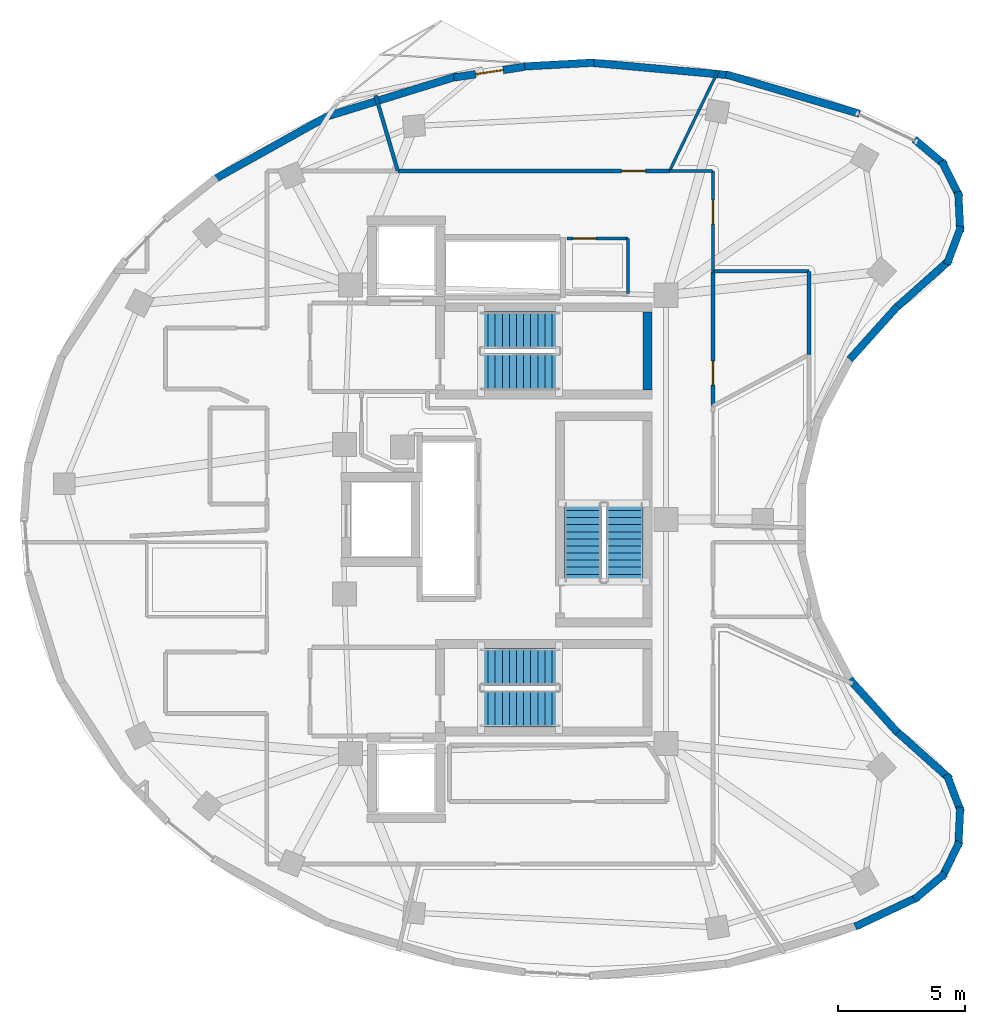
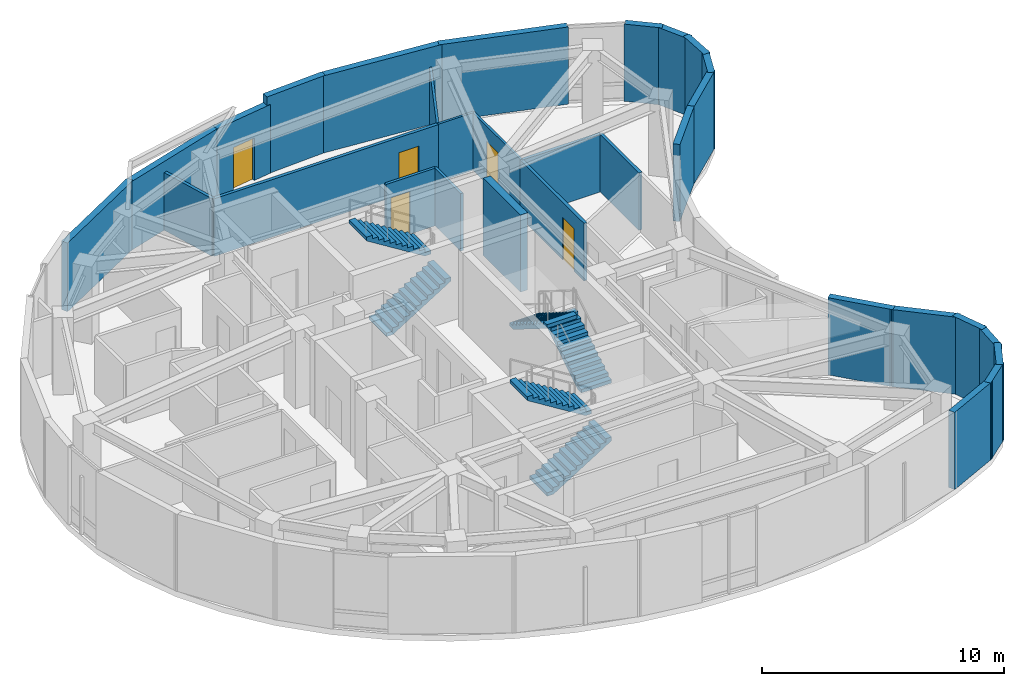
# One storey, part 6 of 8: 30 walls, 6 stair flights, 5 doors, 5 openings, 3 elements without a shape of their own.
"""IFC4 building model written with IfcOpenShell, lengths in metres."""

from ifc_helpers import new_model, si_unit, direction, frame, frame_2d, origin, place, context, subcontext, project, spatial, polyline, rectangle, outline, extrude, material, layer, layer_set, type_object, element, fill, aggregate, save


model = new_model("IFC4")

# Units and contexts
model_context = context("Model", 3, precision=1e-05, world=origin(), true_north=direction((0.0, 1.0)))
body_context = subcontext(model_context, "Body", "Model", "MODEL_VIEW")
ifc_project = project(units=[si_unit("LENGTHUNIT", "METRE"), si_unit("AREAUNIT", "SQUARE_METRE"), si_unit("VOLUMEUNIT", "CUBIC_METRE"), si_unit("PLANEANGLEUNIT", "RADIAN"), si_unit("MASSUNIT", "GRAM", prefix="KILO")], contexts=[model_context])

# Site, building, storey
site_placement = place(None, origin())
site = spatial("IfcSite", under=ifc_project, at=site_placement, CompositionType="ELEMENT")
building_placement = place(site_placement, origin())
building = spatial("IfcBuilding", under=site, at=building_placement, Name="Korentha Bioscience Tower", CompositionType="ELEMENT")
storey_placement = place(building_placement, frame((0.0, 0.0, 310.199951171875)))
storey = spatial("IfcBuildingStorey", under=building, at=storey_placement, Name="L71", CompositionType="ELEMENT", Elevation=310.199951171875)

# Wall, opening, door
ifc_material_1 = material(Name="Double-Stud Acoustic Gypsum", Category="gypsum")
ifc_layer_1 = layer(ifc_material_1, 0.14990234375, Name="Double-Stud Acoustic Gypsum")
ifc_layer_set_1 = layer_set([ifc_layer_1], Name="Double-Stud Acoustic Gypsum (IW-L150)")
wall_type_1 = type_object("IfcWallType", Name="Acoustic Laboratory Partition Wall 150", PredefinedType="PARTITIONING", material=ifc_layer_set_1)
wall_1_placement = place(storey_placement, frame((39.409912109375, 31.493896484375, 0.0), z_axis=(0.0, 0.0, 1.0), x_axis=(0.0, 1.0, 0.0)))
wall_1 = element("IfcWall", 1, at=wall_1_placement, inside=storey, type_object=wall_type_1, Name="L71 Visiting Faculty Study Office 08 Entrance Wall", PredefinedType="PARTITIONING", context=body_context, shape_type="SweptSolid", body=[
    extrude(rectangle(XDim=5.30419921875, YDim=0.14990234375, at=frame_2d((2.652099609375, 0.0))), origin(), (0.0, 0.0, 1.0), 2.91015625),
])
opening_1_placement = place(wall_1_placement, frame((0.81201171875, 0.0, 0.0)))
opening_1 = element("IfcOpeningElement", 2, at=opening_1_placement, cuts=wall_1, Name="Opening ID-10L", PredefinedType="OPENING", context=body_context, shape_type="SweptSolid", body=[
    extrude(rectangle(XDim=0.949951171875, YDim=2.14990234375, at=frame_2d((0.47509765625, 1.074951171875))), frame((0.0, 0.08984375, 0.0), z_axis=(0.0, -1.0, 0.0), x_axis=(1.0, 0.0, 0.0)), (0.0, 0.0, 1.0), 0.1796875),
])
ifc_material_2 = material(Name="Phenolic Laminate Timber Core", Category="wood")
door_type_1 = type_object("IfcDoorType", Name="Laboratory Single Leaf Door 950x2150 Left", OperationType="SINGLE_SWING_LEFT", PredefinedType="DOOR", material=ifc_material_2)
door_1_placement = place(opening_1_placement, origin())
door_1 = element("IfcDoor", 3, at=door_1_placement, inside=storey, type_object=door_type_1, Name="L71 Visiting Faculty Study Office 08 Door", OperationType="SINGLE_SWING_LEFT", OverallHeight=2.14990234375, OverallWidth=0.949951171875, PredefinedType="DOOR", context=body_context, shape_type="SweptSolid", body=[
    extrude(rectangle(XDim=0.949951171875, YDim=2.14990234375, at=frame_2d((0.47509765625, 1.074951171875))), frame((0.0, 0.02490234375, 0.0), z_axis=(0.0, -1.0, 0.0), x_axis=(1.0, 0.0, 0.0)), (0.0, 0.0, 1.0), 0.050048828125),
])
fill(opening_1, door_1)

wall_2_placement = place(storey_placement, frame((37.6845703125, 40.760009765625, 0.0), z_axis=(0.0, 0.0, 1.0), x_axis=(-1.0, 0.0, 0.0)))
wall_2 = element("IfcWall", 4, at=wall_2_placement, inside=storey, type_object=wall_type_1, Name="L71 Ethics and Biosafety Briefing Room 10 Entrance Wall", PredefinedType="PARTITIONING", context=body_context, shape_type="SweptSolid", body=[
    extrude(rectangle(XDim=10.721435546875, YDim=0.14990234375, at=frame_2d((5.36083984375, 0.0))), origin(), (0.0, 0.0, 1.0), 2.91015625),
])
opening_2_placement = place(wall_2_placement, frame((0.93701171875, 0.0, 0.0)))
opening_2 = element("IfcOpeningElement", 5, at=opening_2_placement, cuts=wall_2, Name="Opening ID-10L", PredefinedType="OPENING", context=body_context, shape_type="SweptSolid", body=[
    extrude(rectangle(XDim=0.949951171875, YDim=2.14990234375, at=frame_2d((0.47509765625, 1.074951171875))), frame((0.0, 0.08984375, 0.0), z_axis=(0.0, -1.0, 0.0), x_axis=(1.0, 0.0, 0.0)), (0.0, 0.0, 1.0), 0.1796875),
])
door_2_placement = place(opening_2_placement, origin())
door_2 = element("IfcDoor", 6, at=door_2_placement, inside=storey, type_object=door_type_1, Name="L71 Ethics and Biosafety Briefing Room 10 Door", OperationType="SINGLE_SWING_LEFT", OverallHeight=2.14990234375, OverallWidth=0.949951171875, PredefinedType="DOOR", context=body_context, shape_type="SweptSolid", body=[
    extrude(rectangle(XDim=0.949951171875, YDim=2.14990234375, at=frame_2d((0.47509765625, 1.074951171875))), frame((0.0, 0.02490234375, 0.0), z_axis=(0.0, -1.0, 0.0), x_axis=(1.0, 0.0, 0.0)), (0.0, 0.0, 1.0), 0.050048828125),
])
fill(opening_2, door_2)

# Walls
wall_3_placement = place(storey_placement, frame((43.197998046875, 36.798095703125, 0.0), z_axis=(0.0, 0.0, 1.0), x_axis=(0.0, -1.0, 0.0)))
element("IfcWall", 7, at=wall_3_placement, inside=storey, type_object=wall_type_1, Name="L71 Interior Partition 049", PredefinedType="PARTITIONING", context=body_context, shape_type="SweptSolid", body=[
    extrude(rectangle(XDim=3.283203125, YDim=0.14990234375, at=frame_2d((1.6416015625, 0.0))), origin(), (0.0, 0.0, 1.0), 2.91015625),
])
wall_4_placement = place(storey_placement, frame((39.409912109375, 36.798095703125, 0.0), z_axis=(0.0, 0.0, 1.0), x_axis=(1.0, 0.0, 0.0)))
element("IfcWall", 8, at=wall_4_placement, inside=storey, type_object=wall_type_1, Name="L71 Interior Partition 050", PredefinedType="PARTITIONING", context=body_context, shape_type="SweptSolid", body=[
    extrude(rectangle(XDim=3.7880859375, YDim=0.14990234375, at=frame_2d((1.89404296875, 0.0))), origin(), (0.0, 0.0, 1.0), 2.91015625),
])
wall_5_placement = place(storey_placement, frame((26.963134765625, 40.760009765625, 0.0), z_axis=(0.0, 0.0, 1.0), x_axis=(-0.282332281552, 0.959316674927, 0.0)))
element("IfcWall", 9, at=wall_5_placement, inside=storey, type_object=wall_type_1, Name="L71 Interior Partition 053", PredefinedType="PARTITIONING", context=body_context, shape_type="SweptSolid", body=[
    extrude(rectangle(XDim=3.106201171875, YDim=0.14990234375, at=frame_2d((1.55322265625, 0.0))), origin(), (0.0, 0.0, 1.0), 2.91015625),
])

# Wall, opening, door
ifc_material_3 = material(Name="Fire-Rated Framed Glass", Category="glass")
ifc_layer_2 = layer(ifc_material_3, 0.110107421875, Name="Fire-Rated Framed Glass")
ifc_layer_set_2 = layer_set([ifc_layer_2], Name="Fire-Rated Framed Glass (IW-G110)")
wall_type_2 = type_object("IfcWallType", Name="Demountable Glazed Office Partition 110", PredefinedType="MOVABLE", material=ifc_layer_set_2)
wall_6_placement = place(storey_placement, frame((39.409912109375, 36.80810546875, 0.0), z_axis=(0.0, 0.0, 1.0), x_axis=(0.0, 1.0, 0.0)))
wall_6 = element("IfcWall", 10, at=wall_6_placement, inside=storey, type_object=wall_type_2, Name="L71 Patent and Regulatory Affairs Office 09 Entrance Wall", PredefinedType="MOVABLE", context=body_context, shape_type="SweptSolid", body=[
    extrude(rectangle(XDim=3.94189453125, YDim=0.110107421875, at=frame_2d((1.970947265625, 0.0))), origin(), (0.0, 0.0, 1.0), 2.91015625),
])
opening_3_placement = place(wall_6_placement, frame((1.852783203125, 0.0, 0.0)))
opening_3 = element("IfcOpeningElement", 11, at=opening_3_placement, cuts=wall_6, Name="Opening ID-10R", PredefinedType="OPENING", context=body_context, shape_type="SweptSolid", body=[
    extrude(rectangle(XDim=0.949951171875, YDim=2.14990234375, at=frame_2d((0.47509765625, 1.074951171875))), frame((0.0, 0.06982421875, 0.0), z_axis=(0.0, -1.0, 0.0), x_axis=(1.0, 0.0, 0.0)), (0.0, 0.0, 1.0), 0.139892578125),
])
door_type_2 = type_object("IfcDoorType", Name="Laboratory Single Leaf Door 950x2150 Right", OperationType="SINGLE_SWING_RIGHT", PredefinedType="DOOR", material=ifc_material_2)
door_3_placement = place(opening_3_placement, origin())
door_3 = element("IfcDoor", 12, at=door_3_placement, inside=storey, type_object=door_type_2, Name="L71 Patent and Regulatory Affairs Office 09 Door", OperationType="SINGLE_SWING_RIGHT", OverallHeight=2.14990234375, OverallWidth=0.949951171875, PredefinedType="DOOR", context=body_context, shape_type="SweptSolid", body=[
    extrude(rectangle(XDim=0.949951171875, YDim=2.14990234375, at=frame_2d((0.47509765625, 1.074951171875))), frame((0.0, 0.02490234375, 0.0), z_axis=(0.0, -1.0, 0.0), x_axis=(1.0, 0.0, 0.0)), (0.0, 0.0, 1.0), 0.050048828125),
])
fill(opening_3, door_3)

# Walls
wall_7_placement = place(storey_placement, frame((39.39990234375, 40.760009765625, 0.0), z_axis=(0.0, 0.0, 1.0), x_axis=(-1.0, 0.0, 0.0)))
element("IfcWall", 13, at=wall_7_placement, inside=storey, type_object=wall_type_2, Name="L71 Interior Partition 051", PredefinedType="MOVABLE", context=body_context, shape_type="SweptSolid", body=[
    extrude(rectangle(XDim=1.705322265625, YDim=0.110107421875, at=frame_2d((0.8525390625, 0.0))), origin(), (0.0, 0.0, 1.0), 2.91015625),
])
wall_8_placement = place(storey_placement, frame((37.694580078125, 40.760009765625, 0.0), z_axis=(0.0, 0.0, 1.0), x_axis=(0.436838385981, 0.899540007189, 0.0)))
element("IfcWall", 14, at=wall_8_placement, inside=storey, type_object=wall_type_2, Name="L71 Interior Partition 052", PredefinedType="MOVABLE", context=body_context, shape_type="SweptSolid", body=[
    extrude(rectangle(XDim=4.389404296875, YDim=0.110107421875, at=frame_2d((2.19482421875, 0.0))), origin(), (0.0, 0.0, 1.0), 2.91015625),
])

# Wall, opening, door
ifc_material_4 = material(Name="Honed Limestone Precast Concrete C40", Category="masonry")
ifc_layer_3 = layer(ifc_material_4, 0.300048828125, Name="Honed Limestone Precast Concrete C40")
ifc_layer_set_3 = layer_set([ifc_layer_3], Name="Honed Limestone Precast Concrete C40 (EW-ST300)")
wall_type_3 = type_object("IfcWallType", Name="Honed Limestone Cavity Spandrel Wall 300", PredefinedType="STANDARD", material=ifc_layer_set_3)
wall_9_placement = place(storey_placement, frame((31.979248046875, 44.874267578125, 0.0), z_axis=(0.0, 0.0, 1.0), x_axis=(-0.988616331056, -0.150458465925, 0.0)))
wall_9 = element("IfcWall", 15, at=wall_9_placement, inside=storey, type_object=wall_type_3, Name="L71 Balcony Threshold Wall 01", PredefinedType="STANDARD", context=body_context, shape_type="SweptSolid", body=[
    extrude(rectangle(XDim=2.834716796875, YDim=0.300048828125, at=frame_2d((1.41748046875, 0.0))), origin(), (0.0, 0.0, 1.0), 3.469970703125),
])
opening_4_placement = place(wall_9_placement, frame((0.867431640625, 0.0, 0.0)))
opening_4 = element("IfcOpeningElement", 16, at=opening_4_placement, cuts=wall_9, Name="Opening BD-11L", PredefinedType="OPENING", context=body_context, shape_type="SweptSolid", body=[
    extrude(rectangle(XDim=1.10009765625, YDim=2.14990234375, at=frame_2d((0.550048828125, 1.074951171875))), frame((0.0, 0.1650390625, 0.0), z_axis=(0.0, -1.0, 0.0), x_axis=(1.0, 0.0, 0.0)), (0.0, 0.0, 1.0), 0.329833984375),
])
ifc_material_5 = material(Name="Thermally Broken Glazed Aluminium", Category="aluminium")
door_type_3 = type_object("IfcDoorType", Name="Balcony Terrace Glazed Door 1100x2150 Left", OperationType="SINGLE_SWING_LEFT", PredefinedType="DOOR", material=ifc_material_5)
door_4_placement = place(opening_4_placement, origin())
door_4 = element("IfcDoor", 17, at=door_4_placement, inside=storey, type_object=door_type_3, Name="L71 Balcony Access Door 01", OperationType="SINGLE_SWING_LEFT", OverallHeight=2.14990234375, OverallWidth=1.10009765625, PredefinedType="DOOR", context=body_context, shape_type="SweptSolid", body=[
    extrude(rectangle(XDim=1.10009765625, YDim=2.14990234375, at=frame_2d((0.550048828125, 1.074951171875))), frame((0.0, 0.02490234375, 0.0), z_axis=(0.0, -1.0, 0.0), x_axis=(1.0, 0.0, 0.0)), (0.0, 0.0, 1.0), 0.050048828125),
])
fill(opening_4, door_4)

# Walls
wall_10_placement = place(storey_placement, frame((45.19677734375, 43.018310546875, 0.0), z_axis=(0.0, 0.0, 1.0), x_axis=(-0.959276315934, 0.282469378321, 0.0)))
element("IfcWall", 18, at=wall_10_placement, inside=storey, type_object=wall_type_3, Name="L71 Limestone Perimeter Closure Wall 02", PredefinedType="STANDARD", context=body_context, shape_type="SweptSolid", body=[
    extrude(rectangle(XDim=5.495361328125, YDim=0.300048828125, at=frame_2d((2.74755859375, 0.0))), origin(), (0.0, 0.0, 1.0), 3.900146484375),
])
wall_11_placement = place(storey_placement, frame((40.108642578125, 44.53564453125, 0.0), z_axis=(0.0, 0.0, 1.0), x_axis=(-0.995950163058, 0.089907022552, 0.0)))
element("IfcWall", 19, at=wall_11_placement, inside=storey, type_object=wall_type_3, Name="L71 Limestone Perimeter Closure Wall 04", PredefinedType="STANDARD", context=body_context, shape_type="SweptSolid", body=[
    extrude(rectangle(XDim=5.60205078125, YDim=0.300048828125, at=frame_2d((2.801025390625, 0.0))), origin(), (0.0, 0.0, 1.0), 3.900146484375),
])
wall_12_placement = place(storey_placement, frame((34.708984375, 45.035888671875, 0.0), z_axis=(0.0, 0.0, 1.0), x_axis=(-0.998532534801, -0.054155119283, 0.0)))
element("IfcWall", 20, at=wall_12_placement, inside=storey, type_object=wall_type_3, Name="L71 Limestone Perimeter Closure Wall 06", PredefinedType="STANDARD", context=body_context, shape_type="SweptSolid", body=[
    extrude(rectangle(XDim=2.8896484375, YDim=0.300048828125, at=frame_2d((1.44482421875, 0.0))), origin(), (0.0, 0.0, 1.0), 3.900146484375),
])
wall_13_placement = place(storey_placement, frame((29.32958984375, 44.5048828125, 0.0), z_axis=(0.0, 0.0, 1.0), x_axis=(-0.955535200816, -0.29487705913, 0.0)))
element("IfcWall", 21, at=wall_13_placement, inside=storey, type_object=wall_type_3, Name="L71 Limestone Perimeter Closure Wall 08", PredefinedType="STANDARD", context=body_context, shape_type="SweptSolid", body=[
    extrude(rectangle(XDim=5.485107421875, YDim=0.300048828125, at=frame_2d((2.74267578125, 0.0))), origin(), (0.0, 0.0, 1.0), 3.469970703125),
])
wall_14_placement = place(storey_placement, frame((24.26171875, 42.961669921875, 0.0), z_axis=(0.0, 0.0, 1.0), x_axis=(-0.87350676692, -0.486812004932, 0.0)))
element("IfcWall", 22, at=wall_14_placement, inside=storey, type_object=wall_type_3, Name="L71 Limestone Perimeter Closure Wall 10", PredefinedType="STANDARD", context=body_context, shape_type="SweptSolid", body=[
    extrude(rectangle(XDim=5.281982421875, YDim=0.300048828125, at=frame_2d((2.64111328125, 0.0))), origin(), (0.0, 0.0, 1.0), 3.469970703125),
])
wall_15_placement = place(storey_placement, frame((45.027587890625, 10.917236328125, 0.0), z_axis=(0.0, 0.0, 1.0), x_axis=(0.904397474905, 0.426690997545, 0.0)))
element("IfcWall", 23, at=wall_15_placement, inside=storey, type_object=wall_type_3, Name="L71 Limestone Perimeter Closure Wall 36", PredefinedType="STANDARD", context=body_context, shape_type="SweptSolid", body=[
    extrude(rectangle(XDim=2.76123046875, YDim=0.300048828125, at=frame_2d((1.380615234375, 0.0))), origin(), (0.0, 0.0, 1.0), 3.900146484375),
])
for number, where, z_axis, x_axis, name in (
    (24, (47.361083984375, 11.990234375, 0.0), (0.0, 0.0, 1.0), (0.764911198117, 0.644135745783, 0.0), "L71 Limestone Perimeter Closure Wall 37"),
    (25, (48.444580078125, 12.845703125, 0.0), (0.0, 0.0, 1.0), (0.444199538262, 0.895927882258, 0.0), "L71 Limestone Perimeter Closure Wall 38"),
    (26, (49.096435546875, 14.0625, 0.0), (0.0, 0.0, 1.0), (0.04947778803, 0.998775224208, 0.0), "L71 Limestone Perimeter Closure Wall 39"),
    (27, (49.208251953125, 15.438232421875, 0.0), (0.0, 0.0, 1.0), (-0.353546976078, 0.935416771127, 0.0), "L71 Limestone Perimeter Closure Wall 40"),
):
    element("IfcWall", number, at=place(storey_placement, frame(where, z_axis=z_axis, x_axis=x_axis)), inside=storey, type_object=wall_type_3, Name=name, PredefinedType="STANDARD", context=body_context, shape_type="SweptSolid", body=[
        extrude(rectangle(XDim=1.5888671875, YDim=0.300048828125, at=frame_2d((0.79443359375, 0.0))), origin(), (0.0, 0.0, 1.0), 3.900146484375),
    ])
wall_16_placement = place(storey_placement, frame((48.772216796875, 16.74169921875, 0.0), z_axis=(0.0, 0.0, 1.0), x_axis=(-0.745805540728, 0.666163715178, 0.0)))
element("IfcWall", 28, at=wall_16_placement, inside=storey, type_object=wall_type_3, Name="L71 Limestone Perimeter Closure Wall 41", PredefinedType="STANDARD", context=body_context, shape_type="SweptSolid", body=[
    extrude(rectangle(XDim=2.91845703125, YDim=0.300048828125, at=frame_2d((1.459228515625, 0.0))), origin(), (0.0, 0.0, 1.0), 3.900146484375),
])
for number, where, z_axis, x_axis, name in (
    (29, (46.697998046875, 18.583984375, 0.0), (0.0, 0.0, 1.0), (-0.66919836837, 0.743083806694, 0.0), "L71 Limestone Perimeter Closure Wall 43"),
    (30, (44.80517578125, 33.314208984375, 0.0), (0.0, 0.0, 1.0), (0.66919836837, 0.743083806694, 0.0), "L71 Limestone Perimeter Closure Wall 55"),
):
    element("IfcWall", number, at=place(storey_placement, frame(where, z_axis=z_axis, x_axis=x_axis)), inside=storey, type_object=wall_type_3, Name=name, PredefinedType="STANDARD", context=body_context, shape_type="SweptSolid", body=[
        extrude(rectangle(XDim=2.82861328125, YDim=0.300048828125, at=frame_2d((1.414306640625, 0.0))), origin(), (0.0, 0.0, 1.0), 3.900146484375),
    ])
wall_17_placement = place(storey_placement, frame((46.595703125, 35.314208984375, 0.0), z_axis=(0.0, 0.0, 1.0), x_axis=(0.745805540728, 0.666163715178, 0.0)))
element("IfcWall", 31, at=wall_17_placement, inside=storey, type_object=wall_type_3, Name="L71 Limestone Perimeter Closure Wall 57", PredefinedType="STANDARD", context=body_context, shape_type="SweptSolid", body=[
    extrude(rectangle(XDim=2.91845703125, YDim=0.300048828125, at=frame_2d((1.459228515625, 0.0))), origin(), (0.0, 0.0, 1.0), 3.900146484375),
])
for number, where, z_axis, x_axis, name in (
    (32, (48.646484375, 37.075439453125, 0.0), (0.0, 0.0, 1.0), (0.353546976078, 0.935416771127, 0.0), "L71 Limestone Perimeter Closure Wall 59"),
    (33, (49.175048828125, 38.3505859375, 0.0), (0.0, 0.0, 1.0), (-0.04947778803, 0.998775224208, 0.0), "L71 Limestone Perimeter Closure Wall 60"),
    (34, (49.150390625, 39.730712890625, 0.0), (0.0, 0.0, 1.0), (-0.444199538262, 0.895927882258, 0.0), "L71 Limestone Perimeter Closure Wall 61"),
    (35, (48.576416015625, 40.986328125, 0.0), (0.0, 0.0, 1.0), (-0.764911198117, 0.644135745783, 0.0), "L71 Limestone Perimeter Closure Wall 62"),
):
    element("IfcWall", number, at=place(storey_placement, frame(where, z_axis=z_axis, x_axis=x_axis)), inside=storey, type_object=wall_type_3, Name=name, PredefinedType="STANDARD", context=body_context, shape_type="SweptSolid", body=[
        extrude(rectangle(XDim=1.5888671875, YDim=0.300048828125, at=frame_2d((0.79443359375, 0.0))), origin(), (0.0, 0.0, 1.0), 3.900146484375),
    ])
ifc_material_6 = material(Name="Concrete C50", Category="concrete")
ifc_layer_4 = layer(ifc_material_6, 0.35009765625, Name="Concrete C50")
ifc_layer_set_4 = layer_set([ifc_layer_4], Name="Concrete C50 (CW-C50)")
wall_type_4 = type_object("IfcWallType", Name="Upper Core Shear Wall 350", PredefinedType="SHEAR", material=ifc_layer_set_4)
wall_18_placement = place(storey_placement, frame((36.824951171875, 32.110107421875, 0.0), z_axis=(0.0, 0.0, 1.0), x_axis=(0.0, 1.0, 0.0)))
element("IfcWall", 36, at=wall_18_placement, inside=storey, type_object=wall_type_4, Name="L71 Core Shear Wall ST1-E", PredefinedType="SHEAR", context=body_context, shape_type="SweptSolid", body=[
    extrude(rectangle(XDim=3.079833984375, YDim=0.35009765625, at=frame_2d((1.5400390625, 0.0))), origin(), (0.0, 0.0, 1.0), 3.900146484375),
])

# Wall, opening, door
ifc_material_7 = material(Name="Cement-Board Steel Stud", Category="steel")
ifc_layer_5 = layer(ifc_material_7, 0.1298828125, Name="Cement-Board Steel Stud")
ifc_layer_set_5 = layer_set([ifc_layer_5], Name="Cement-Board Steel Stud (IW-W130)")
wall_type_5 = type_object("IfcWallType", Name="Wet-Area Moisture-Resistant Partition 130", PredefinedType="PARTITIONING", material=ifc_layer_set_5)
wall_19_placement = place(storey_placement, frame((33.64990234375, 38.090087890625, 0.0), z_axis=(0.0, 0.0, 1.0), x_axis=(1.0, 0.0, 0.0)))
wall_19 = element("IfcWall", 37, at=wall_19_placement, inside=storey, type_object=wall_type_5, Name="L71 Accessible Staff WC Entrance Wall", PredefinedType="PARTITIONING", context=body_context, shape_type="SweptSolid", body=[
    extrude(rectangle(XDim=2.400146484375, YDim=0.1298828125, at=frame_2d((1.2001953125, 0.0))), origin(), (0.0, 0.0, 1.0), 2.91015625),
])
opening_5_placement = place(wall_19_placement, frame((0.239990234375, 0.0, 0.0)))
opening_5 = element("IfcOpeningElement", 38, at=opening_5_placement, cuts=wall_19, Name="Opening ID-09R", PredefinedType="OPENING", context=body_context, shape_type="SweptSolid", body=[
    extrude(rectangle(XDim=0.89990234375, YDim=2.14990234375, at=frame_2d((0.449951171875, 1.074951171875))), frame((0.0, 0.079833984375, 0.0), z_axis=(0.0, -1.0, 0.0), x_axis=(1.0, 0.0, 0.0)), (0.0, 0.0, 1.0), 0.15966796875),
])
ifc_material_8 = material(Name="Moisture-Resistant HPL Leaf", Category="wood")
door_type_4 = type_object("IfcDoorType", Name="Restroom & Accessible WC Door 900x2150 Right", OperationType="SINGLE_SWING_RIGHT", PredefinedType="DOOR", material=ifc_material_8)
door_5_placement = place(opening_5_placement, origin())
door_5 = element("IfcDoor", 39, at=door_5_placement, inside=storey, type_object=door_type_4, Name="L71 Accessible Staff WC Door", OperationType="SINGLE_SWING_RIGHT", OverallHeight=2.14990234375, OverallWidth=0.89990234375, PredefinedType="DOOR", context=body_context, shape_type="SweptSolid", body=[
    extrude(rectangle(XDim=0.89990234375, YDim=2.14990234375, at=frame_2d((0.449951171875, 1.074951171875))), frame((0.0, 0.02490234375, 0.0), z_axis=(0.0, -1.0, 0.0), x_axis=(1.0, 0.0, 0.0)), (0.0, 0.0, 1.0), 0.050048828125),
])
fill(opening_5, door_5)

# Wall
wall_20_placement = place(storey_placement, frame((36.050048828125, 38.090087890625, 0.0), z_axis=(0.0, 0.0, 1.0), x_axis=(0.0, -1.0, 0.0)))
element("IfcWall", 40, at=wall_20_placement, inside=storey, type_object=wall_type_5, Name="L71 Interior Partition 016", PredefinedType="PARTITIONING", context=body_context, shape_type="SweptSolid", body=[
    extrude(rectangle(XDim=2.18017578125, YDim=0.1298828125, at=frame_2d((1.090087890625, 0.0))), origin(), (0.0, 0.0, 1.0), 2.91015625),
])

# Stair, stair flights
ifc_material_9 = material(Name="Precast Concrete C50", Category="concrete")
stair_type = type_object("IfcStairType", Name="Core Exit Dog-Leg Stair 1450", PredefinedType="HALF_TURN_STAIR", material=ifc_material_9)
stair_1_placement = place(storey_placement, origin())
stair_1 = element("IfcStair", 41, at=stair_1_placement, inside=storey, type_object=stair_type, Name="L71 Tower North Pressurized Exit Stair ST-1", PredefinedType="HALF_TURN_STAIR")
stair_flight_type = type_object("IfcStairFlightType", Name="Core Exit Dog-Leg Stair 1450 Flight", PredefinedType="STRAIGHT", material=ifc_material_9)
stair_flight_1_placement = place(storey_placement, frame((30.25, 32.824951171875, 0.0), z_axis=(0.0, 0.0, 1.0), x_axis=(1.0, 0.0, 0.0)))
stair_flight_1 = element("IfcStairFlight", 42, at=stair_flight_1_placement, type_object=stair_flight_type, Name="ST-1 flight 1", NumberOfRisers=12, NumberOfTreads=11, PredefinedType="STRAIGHT", RiserHeight=0.175, TreadLength=0.28, context=body_context, shape_type="SweptSolid", body=[
    extrude(outline(polyline([(0.0, 0.0), (0.0, 0.175048828125), (0.280029296875, 0.175048828125), (0.280029296875, 0.35009765625), (0.56005859375, 0.35009765625), (0.56005859375, 0.52490234375), (0.840087890625, 0.52490234375), (0.840087890625, 0.699951171875), (1.1201171875, 0.699951171875), (1.1201171875, 0.875), (1.39990234375, 0.875), (1.39990234375, 1.050048828125), (1.679931640625, 1.050048828125), (1.679931640625, 1.22509765625), (1.9599609375, 1.22509765625), (1.9599609375, 1.39990234375), (2.239990234375, 1.39990234375), (2.239990234375, 1.574951171875), (2.52001953125, 1.574951171875), (2.52001953125, 1.75), (2.800048828125, 1.75), (2.800048828125, 1.925048828125), (3.080078125, 1.925048828125), (3.080078125, 2.10009765625), (3.080078125, 1.736328125), (0.3017578125, 0.0), (0.0, 0.0)])), frame((0.0, 0.72509765625, 0.0), z_axis=(0.0, -1.0, 0.0), x_axis=(1.0, 0.0, 0.0)), (0.0, 0.0, 1.0), 1.449951171875),
])
stair_flight_2_placement = place(storey_placement, frame((33.330078125, 34.47509765625, 2.10009765625), z_axis=(0.0, 0.0, 1.0), x_axis=(-1.0, 0.0, 0.0)))
stair_flight_2 = element("IfcStairFlight", 43, at=stair_flight_2_placement, type_object=stair_flight_type, Name="ST-1 flight 2", NumberOfRisers=12, NumberOfTreads=11, PredefinedType="STRAIGHT", RiserHeight=0.175, TreadLength=0.28, context=body_context, shape_type="SweptSolid", body=[
    extrude(outline(polyline([(0.0, 0.0), (0.0, 0.175048828125), (0.280029296875, 0.175048828125), (0.280029296875, 0.35009765625), (0.56005859375, 0.35009765625), (0.56005859375, 0.52490234375), (0.840087890625, 0.52490234375), (0.840087890625, 0.699951171875), (1.1201171875, 0.699951171875), (1.1201171875, 0.875), (1.39990234375, 0.875), (1.39990234375, 1.050048828125), (1.679931640625, 1.050048828125), (1.679931640625, 1.22509765625), (1.9599609375, 1.22509765625), (1.9599609375, 1.39990234375), (2.239990234375, 1.39990234375), (2.239990234375, 1.574951171875), (2.52001953125, 1.574951171875), (2.52001953125, 1.75), (2.800048828125, 1.75), (2.800048828125, 1.925048828125), (3.080078125, 1.925048828125), (3.080078125, 2.10009765625), (3.080078125, 1.736328125), (0.3017578125, 0.0), (0.0, 0.0)])), frame((0.0, 0.72509765625, 0.0), z_axis=(0.0, -1.0, 0.0), x_axis=(1.0, 0.0, 0.0)), (0.0, 0.0, 1.0), 1.449951171875),
])
aggregate(stair_1, [stair_flight_1, stair_flight_2])

stair_2_placement = place(storey_placement, origin())
stair_2 = element("IfcStair", 44, at=stair_2_placement, inside=storey, type_object=stair_type, Name="L71 Tower South Pressurized Exit Stair ST-2", PredefinedType="HALF_TURN_STAIR")
stair_flight_3_placement = place(storey_placement, frame((30.25, 19.52490234375, 0.0), z_axis=(0.0, 0.0, 1.0), x_axis=(1.0, 0.0, 0.0)))
stair_flight_3 = element("IfcStairFlight", 45, at=stair_flight_3_placement, type_object=stair_flight_type, Name="ST-2 flight 1", NumberOfRisers=12, NumberOfTreads=11, PredefinedType="STRAIGHT", RiserHeight=0.175, TreadLength=0.28, context=body_context, shape_type="SweptSolid", body=[
    extrude(outline(polyline([(0.0, 0.0), (0.0, 0.175048828125), (0.280029296875, 0.175048828125), (0.280029296875, 0.35009765625), (0.56005859375, 0.35009765625), (0.56005859375, 0.52490234375), (0.840087890625, 0.52490234375), (0.840087890625, 0.699951171875), (1.1201171875, 0.699951171875), (1.1201171875, 0.875), (1.39990234375, 0.875), (1.39990234375, 1.050048828125), (1.679931640625, 1.050048828125), (1.679931640625, 1.22509765625), (1.9599609375, 1.22509765625), (1.9599609375, 1.39990234375), (2.239990234375, 1.39990234375), (2.239990234375, 1.574951171875), (2.52001953125, 1.574951171875), (2.52001953125, 1.75), (2.800048828125, 1.75), (2.800048828125, 1.925048828125), (3.080078125, 1.925048828125), (3.080078125, 2.10009765625), (3.080078125, 1.736328125), (0.3017578125, 0.0), (0.0, 0.0)])), frame((0.0, 0.72509765625, 0.0), z_axis=(0.0, -1.0, 0.0), x_axis=(1.0, 0.0, 0.0)), (0.0, 0.0, 1.0), 1.449951171875),
])
stair_flight_4_placement = place(storey_placement, frame((33.330078125, 21.175048828125, 2.10009765625), z_axis=(0.0, 0.0, 1.0), x_axis=(-1.0, 0.0, 0.0)))
stair_flight_4 = element("IfcStairFlight", 46, at=stair_flight_4_placement, type_object=stair_flight_type, Name="ST-2 flight 2", NumberOfRisers=12, NumberOfTreads=11, PredefinedType="STRAIGHT", RiserHeight=0.175, TreadLength=0.28, context=body_context, shape_type="SweptSolid", body=[
    extrude(outline(polyline([(0.0, 0.0), (0.0, 0.175048828125), (0.280029296875, 0.175048828125), (0.280029296875, 0.35009765625), (0.56005859375, 0.35009765625), (0.56005859375, 0.52490234375), (0.840087890625, 0.52490234375), (0.840087890625, 0.699951171875), (1.1201171875, 0.699951171875), (1.1201171875, 0.875), (1.39990234375, 0.875), (1.39990234375, 1.050048828125), (1.679931640625, 1.050048828125), (1.679931640625, 1.22509765625), (1.9599609375, 1.22509765625), (1.9599609375, 1.39990234375), (2.239990234375, 1.39990234375), (2.239990234375, 1.574951171875), (2.52001953125, 1.574951171875), (2.52001953125, 1.75), (2.800048828125, 1.75), (2.800048828125, 1.925048828125), (3.080078125, 1.925048828125), (3.080078125, 2.10009765625), (3.080078125, 1.736328125), (0.3017578125, 0.0), (0.0, 0.0)])), frame((0.0, 0.72509765625, 0.0), z_axis=(0.0, -1.0, 0.0), x_axis=(1.0, 0.0, 0.0)), (0.0, 0.0, 1.0), 1.449951171875),
])
aggregate(stair_2, [stair_flight_3, stair_flight_4])

stair_3_placement = place(storey_placement, origin())
stair_3 = element("IfcStair", 47, at=stair_3_placement, inside=storey, type_object=stair_type, Name="L71 Tower Central Pressurized Exit Stair ST-3", PredefinedType="HALF_TURN_STAIR")
stair_flight_5_placement = place(storey_placement, frame((35.925048828125, 24.550048828125, 0.0), z_axis=(0.0, 0.0, 1.0), x_axis=(0.0, 1.0, 0.0)))
stair_flight_5 = element("IfcStairFlight", 48, at=stair_flight_5_placement, type_object=stair_flight_type, Name="ST-3 flight 1", NumberOfRisers=12, NumberOfTreads=11, PredefinedType="STRAIGHT", RiserHeight=0.175, TreadLength=0.28, context=body_context, shape_type="SweptSolid", body=[
    extrude(outline(polyline([(0.0, 0.0), (0.0, 0.175048828125), (0.280029296875, 0.175048828125), (0.280029296875, 0.35009765625), (0.56005859375, 0.35009765625), (0.56005859375, 0.52490234375), (0.840087890625, 0.52490234375), (0.840087890625, 0.699951171875), (1.1201171875, 0.699951171875), (1.1201171875, 0.875), (1.39990234375, 0.875), (1.39990234375, 1.050048828125), (1.679931640625, 1.050048828125), (1.679931640625, 1.22509765625), (1.9599609375, 1.22509765625), (1.9599609375, 1.39990234375), (2.239990234375, 1.39990234375), (2.239990234375, 1.574951171875), (2.52001953125, 1.574951171875), (2.52001953125, 1.75), (2.800048828125, 1.75), (2.800048828125, 1.925048828125), (3.080078125, 1.925048828125), (3.080078125, 2.10009765625), (3.080078125, 1.736328125), (0.3017578125, 0.0), (0.0, 0.0)])), frame((0.0, 0.72509765625, 0.0), z_axis=(0.0, -1.0, 0.0), x_axis=(1.0, 0.0, 0.0)), (0.0, 0.0, 1.0), 1.449951171875),
])
stair_flight_6_placement = place(storey_placement, frame((34.27490234375, 27.6298828125, 2.10009765625), z_axis=(0.0, 0.0, 1.0), x_axis=(0.0, -1.0, 0.0)))
stair_flight_6 = element("IfcStairFlight", 49, at=stair_flight_6_placement, type_object=stair_flight_type, Name="ST-3 flight 2", NumberOfRisers=12, NumberOfTreads=11, PredefinedType="STRAIGHT", RiserHeight=0.175, TreadLength=0.28, context=body_context, shape_type="SweptSolid", body=[
    extrude(outline(polyline([(0.0, 0.0), (0.0, 0.175048828125), (0.280029296875, 0.175048828125), (0.280029296875, 0.35009765625), (0.56005859375, 0.35009765625), (0.56005859375, 0.52490234375), (0.840087890625, 0.52490234375), (0.840087890625, 0.699951171875), (1.1201171875, 0.699951171875), (1.1201171875, 0.875), (1.39990234375, 0.875), (1.39990234375, 1.050048828125), (1.679931640625, 1.050048828125), (1.679931640625, 1.22509765625), (1.9599609375, 1.22509765625), (1.9599609375, 1.39990234375), (2.239990234375, 1.39990234375), (2.239990234375, 1.574951171875), (2.52001953125, 1.574951171875), (2.52001953125, 1.75), (2.800048828125, 1.75), (2.800048828125, 1.925048828125), (3.080078125, 1.925048828125), (3.080078125, 2.10009765625), (3.080078125, 1.736328125), (0.3017578125, 0.0), (0.0, 0.0)])), frame((0.0, 0.72509765625, 0.0), z_axis=(0.0, -1.0, 0.0), x_axis=(1.0, 0.0, 0.0)), (0.0, 0.0, 1.0), 1.449951171875),
])
aggregate(stair_3, [stair_flight_5, stair_flight_6])

save(model, "model.ifc")
